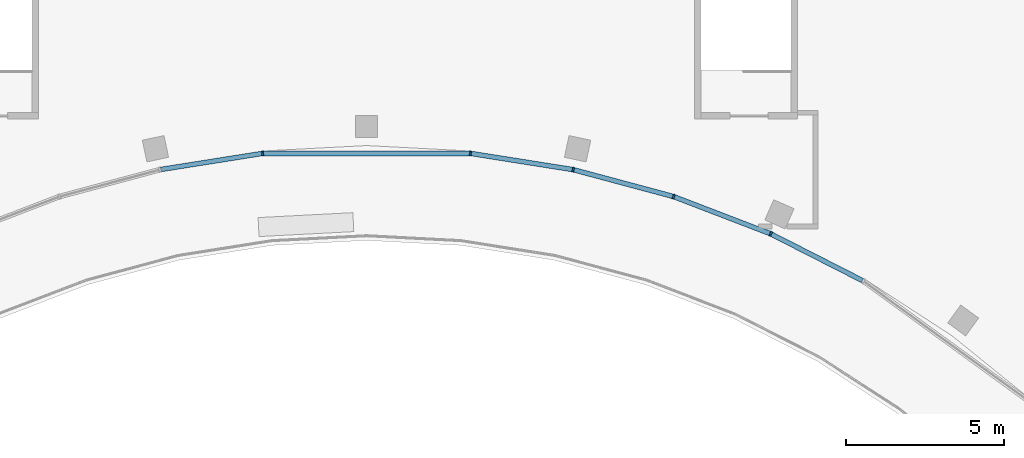
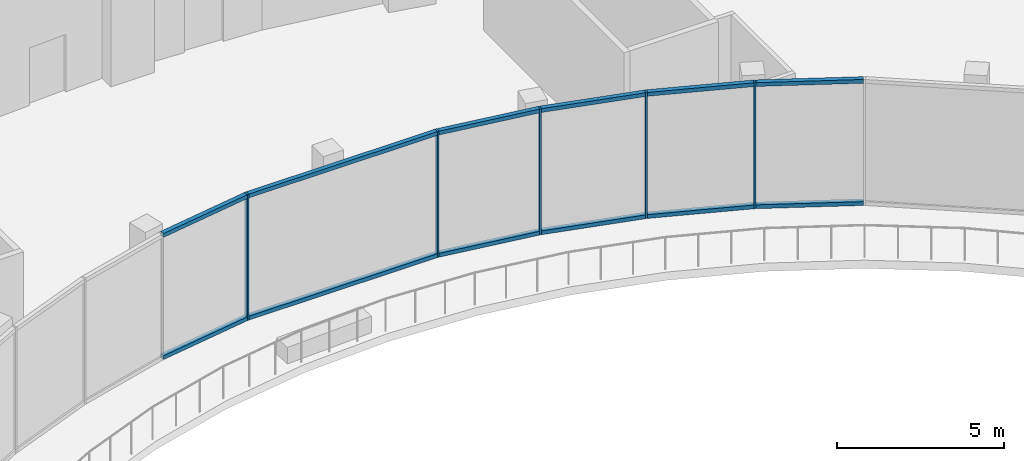
# One storey, part 10 of 33: 17 members, 1 element without a shape of its own.
"""IFC4 building model written with IfcOpenShell, lengths in metres."""

from ifc_helpers import new_model, si_unit, direction, frame, origin, origin_2d, place, context, subcontext, project, spatial, rectangle, extrude, material, layer, layer_set, material_profile, profile_set, type_object, element, aggregate, save


model = new_model("IFC4")

# Units and contexts
model_context = context("Model", 3, precision=1e-05, world=origin(), true_north=direction((0.0, 1.0)))
body_context = subcontext(model_context, "Body", "Model", "MODEL_VIEW")
ifc_project = project(units=[si_unit("LENGTHUNIT", "METRE"), si_unit("AREAUNIT", "SQUARE_METRE"), si_unit("VOLUMEUNIT", "CUBIC_METRE"), si_unit("PLANEANGLEUNIT", "RADIAN"), si_unit("MASSUNIT", "GRAM", prefix="KILO")], contexts=[model_context])

# Site, building, storey
site_placement = place(None, origin())
site = spatial("IfcSite", under=ifc_project, at=site_placement, CompositionType="ELEMENT")
building_placement = place(site_placement, origin())
building = spatial("IfcBuilding", under=site, at=building_placement, Name="Stone Belt Terrace Tower", CompositionType="ELEMENT")
storey_placement = place(building_placement, frame((0.0, 0.0, 25.39990234375)))
storey = spatial("IfcBuildingStorey", under=building, at=storey_placement, Name="L05", CompositionType="ELEMENT", Elevation=25.39990234375)

# Curtain wall, members
ifc_material = material(Name="Aluminium 6063-T6 anodised frame", Category="aluminium")
ifc_layer = layer(ifc_material, 0.14990234375)
ifc_layer_set = layer_set([ifc_layer], Name="CW-D podium shopfront")
curtain_wall_type = type_object("IfcCurtainWallType", Name="CW-D podium shopfront", PredefinedType="NOTDEFINED", material=ifc_layer_set)
curtain_wall_placement = place(storey_placement, origin())
curtain_wall = element("IfcCurtainWall", 1, at=curtain_wall_placement, inside=storey, type_object=curtain_wall_type, Name="CW-D concave face L05", PredefinedType="NOTDEFINED")
ifc_material_profile_1 = material_profile(ifc_material, rectangle(XDim=0.14990234375, YDim=0.06005859375, at=origin_2d()), Name="Aluminium 6063-T6 60x150")
ifc_profile_set_1 = profile_set([ifc_material_profile_1], Name="Aluminium 6063-T6 anodised frame")
member_type_1 = type_object("IfcMemberType", Name="CW-D mullion 60 x 150", PredefinedType="MULLION", material=ifc_profile_set_1)
member_1_placement = place(storey_placement, frame((-3.286865234375, 31.25244140625, 0.0), z_axis=(0.0, 0.0, 1.0), x_axis=(-0.078459095728, 0.996917333733, 0.0)))
member_1 = element("IfcMember", 2, at=member_1_placement, type_object=member_type_1, Name="CW-D mullion 11", PredefinedType="MULLION", context=body_context, shape_type="SweptSolid", body=[
    extrude(rectangle(XDim=0.14990234375, YDim=0.06005859375, at=origin_2d()), origin(), (0.0, 0.0, 1.0), 4.60009765625),
])
member_2_placement = place(storey_placement, frame((3.286865234375, 31.25244140625, 0.0), z_axis=(0.0, 0.0, 1.0), x_axis=(0.078459095728, 0.996917333733, 0.0)))
member_2 = element("IfcMember", 3, at=member_2_placement, type_object=member_type_1, Name="CW-D mullion 12", PredefinedType="MULLION", context=body_context, shape_type="SweptSolid", body=[
    extrude(rectangle(XDim=0.14990234375, YDim=0.06005859375, at=origin_2d()), origin(), (0.0, 0.0, 1.0), 4.60009765625),
])
member_3_placement = place(storey_placement, frame((6.53369140625, 30.73828125, 0.0), z_axis=(0.0, 0.0, 1.0), x_axis=(0.207911690818, 0.978147600734, 0.0)))
member_3 = element("IfcMember", 4, at=member_3_placement, type_object=member_type_1, Name="CW-D mullion 13", PredefinedType="MULLION", context=body_context, shape_type="SweptSolid", body=[
    extrude(rectangle(XDim=0.14990234375, YDim=0.06005859375, at=origin_2d()), origin(), (0.0, 0.0, 1.0), 4.60009765625),
])
member_4_placement = place(storey_placement, frame((9.7109375, 29.886962890625, 0.0), z_axis=(0.0, 0.0, 1.0), x_axis=(0.309016994375, 0.951056516295, 0.0)))
member_4 = element("IfcMember", 5, at=member_4_placement, type_object=member_type_1, Name="CW-D mullion 14", PredefinedType="MULLION", context=body_context, shape_type="SweptSolid", body=[
    extrude(rectangle(XDim=0.14990234375, YDim=0.06005859375, at=origin_2d()), origin(), (0.0, 0.0, 1.0), 4.60009765625),
])
member_5_placement = place(storey_placement, frame((12.78173828125, 28.7080078125, 0.0), z_axis=(0.0, 0.0, 1.0), x_axis=(0.406736643076, 0.913545457643, 0.0)))
member_5 = element("IfcMember", 6, at=member_5_placement, type_object=member_type_1, Name="CW-D mullion 15", PredefinedType="MULLION", context=body_context, shape_type="SweptSolid", body=[
    extrude(rectangle(XDim=0.14990234375, YDim=0.06005859375, at=origin_2d()), origin(), (0.0, 0.0, 1.0), 4.60009765625),
])
ifc_material_profile_2 = material_profile(ifc_material, rectangle(XDim=0.14990234375, YDim=0.139892578125, at=origin_2d()), Name="Aluminium 6063-T6 150x140")
ifc_profile_set_2 = profile_set([ifc_material_profile_2], Name="Aluminium 6063-T6 anodised frame")
member_type_2 = type_object("IfcMemberType", Name="CW-D transom 140 x 150", PredefinedType="USERDEFINED", material=ifc_profile_set_2)
member_6_placement = place(storey_placement, frame((-6.500244140625, 30.743408203125, 0.070068359375), z_axis=(0.987686566234, 0.156445667505, 0.0), x_axis=(-0.156445667505, 0.987686566234, 0.0)))
member_6 = element("IfcMember", 7, at=member_6_placement, type_object=member_type_2, Name="CW-D transom 10.1", ObjectType="TRANSOM", PredefinedType="USERDEFINED", context=body_context, shape_type="SweptSolid", body=[
    extrude(rectangle(XDim=0.14990234375, YDim=0.139892578125, at=origin_2d()), origin(), (0.0, 0.0, 1.0), 3.2177734375),
])
member_7_placement = place(storey_placement, frame((-6.500244140625, 30.743408203125, 4.530029296875), z_axis=(0.987686566234, 0.156445667505, 0.0), x_axis=(-0.156445667505, 0.987686566234, 0.0)))
member_7 = element("IfcMember", 8, at=member_7_placement, type_object=member_type_2, Name="CW-D transom 10.2", ObjectType="TRANSOM", PredefinedType="USERDEFINED", context=body_context, shape_type="SweptSolid", body=[
    extrude(rectangle(XDim=0.14990234375, YDim=0.139892578125, at=origin_2d()), origin(), (0.0, 0.0, 1.0), 3.2177734375),
])
member_8_placement = place(storey_placement, frame((-3.2509765625, 31.25244140625, 0.070068359375), z_axis=(1.0, 0.0, 0.0), x_axis=(0.0, 1.0, 0.0)))
member_8 = element("IfcMember", 9, at=member_8_placement, type_object=member_type_2, Name="CW-D transom 11.1", ObjectType="TRANSOM", PredefinedType="USERDEFINED", context=body_context, shape_type="SweptSolid", body=[
    extrude(rectangle(XDim=0.14990234375, YDim=0.139892578125, at=origin_2d()), origin(), (0.0, 0.0, 1.0), 6.501953125),
])
member_9_placement = place(storey_placement, frame((-3.2509765625, 31.25244140625, 4.530029296875), z_axis=(1.0, 0.0, 0.0), x_axis=(0.0, 1.0, 0.0)))
member_9 = element("IfcMember", 10, at=member_9_placement, type_object=member_type_2, Name="CW-D transom 11.2", ObjectType="TRANSOM", PredefinedType="USERDEFINED", context=body_context, shape_type="SweptSolid", body=[
    extrude(rectangle(XDim=0.14990234375, YDim=0.139892578125, at=origin_2d()), origin(), (0.0, 0.0, 1.0), 6.501953125),
])
member_10_placement = place(storey_placement, frame((3.322021484375, 31.246826171875, 0.070068359375), z_axis=(0.987686566234, -0.156445667505, 0.0), x_axis=(0.156445667505, 0.987686566234, 0.0)))
member_10 = element("IfcMember", 11, at=member_10_placement, type_object=member_type_2, Name="CW-D transom 12.1", ObjectType="TRANSOM", PredefinedType="USERDEFINED", context=body_context, shape_type="SweptSolid", body=[
    extrude(rectangle(XDim=0.14990234375, YDim=0.139892578125, at=origin_2d()), origin(), (0.0, 0.0, 1.0), 3.2177734375),
])
member_11_placement = place(storey_placement, frame((3.322021484375, 31.246826171875, 4.530029296875), z_axis=(0.987686566234, -0.156445667505, 0.0), x_axis=(0.156445667505, 0.987686566234, 0.0)))
member_11 = element("IfcMember", 12, at=member_11_placement, type_object=member_type_2, Name="CW-D transom 12.2", ObjectType="TRANSOM", PredefinedType="USERDEFINED", context=body_context, shape_type="SweptSolid", body=[
    extrude(rectangle(XDim=0.14990234375, YDim=0.139892578125, at=origin_2d()), origin(), (0.0, 0.0, 1.0), 3.2177734375),
])
member_12_placement = place(storey_placement, frame((6.56640625, 30.7294921875, 0.070068359375), z_axis=(0.96590711301, -0.258888873915, 0.0), x_axis=(0.258888873915, 0.96590711301, 0.0)))
member_12 = element("IfcMember", 13, at=member_12_placement, type_object=member_type_2, Name="CW-D transom 13.1", ObjectType="TRANSOM", PredefinedType="USERDEFINED", context=body_context, shape_type="SweptSolid", body=[
    extrude(rectangle(XDim=0.14990234375, YDim=0.139892578125, at=origin_2d()), origin(), (0.0, 0.0, 1.0), 3.221435546875),
])
member_13_placement = place(storey_placement, frame((6.56640625, 30.7294921875, 4.530029296875), z_axis=(0.96590711301, -0.258888873915, 0.0), x_axis=(0.258888873915, 0.96590711301, 0.0)))
member_13 = element("IfcMember", 14, at=member_13_placement, type_object=member_type_2, Name="CW-D transom 13.2", ObjectType="TRANSOM", PredefinedType="USERDEFINED", context=body_context, shape_type="SweptSolid", body=[
    extrude(rectangle(XDim=0.14990234375, YDim=0.139892578125, at=origin_2d()), origin(), (0.0, 0.0, 1.0), 3.221435546875),
])
member_14_placement = place(storey_placement, frame((9.742431640625, 29.874755859375, 0.070068359375), z_axis=(0.933575889174, -0.358379769454, 0.0), x_axis=(0.358379769454, 0.933575889174, 0.0)))
member_14 = element("IfcMember", 15, at=member_14_placement, type_object=member_type_2, Name="CW-D transom 14.1", ObjectType="TRANSOM", PredefinedType="USERDEFINED", context=body_context, shape_type="SweptSolid", body=[
    extrude(rectangle(XDim=0.14990234375, YDim=0.139892578125, at=origin_2d()), origin(), (0.0, 0.0, 1.0), 3.221435546875),
])
member_15_placement = place(storey_placement, frame((9.742431640625, 29.874755859375, 4.530029296875), z_axis=(0.933575889174, -0.358379769454, 0.0), x_axis=(0.358379769454, 0.933575889174, 0.0)))
member_15 = element("IfcMember", 16, at=member_15_placement, type_object=member_type_2, Name="CW-D transom 14.2", ObjectType="TRANSOM", PredefinedType="USERDEFINED", context=body_context, shape_type="SweptSolid", body=[
    extrude(rectangle(XDim=0.14990234375, YDim=0.139892578125, at=origin_2d()), origin(), (0.0, 0.0, 1.0), 3.221435546875),
])
member_16_placement = place(storey_placement, frame((12.811767578125, 28.692626953125, 0.070068359375), z_axis=(0.891017492062, -0.453968973432, 0.0), x_axis=(0.453968973432, 0.891017492062, 0.0)))
member_16 = element("IfcMember", 17, at=member_16_placement, type_object=member_type_2, Name="CW-D transom 15.1", ObjectType="TRANSOM", PredefinedType="USERDEFINED", context=body_context, shape_type="SweptSolid", body=[
    extrude(rectangle(XDim=0.14990234375, YDim=0.139892578125, at=origin_2d()), origin(), (0.0, 0.0, 1.0), 3.217529296875),
])
member_17_placement = place(storey_placement, frame((12.811767578125, 28.692626953125, 4.530029296875), z_axis=(0.891017492062, -0.453968973432, 0.0), x_axis=(0.453968973432, 0.891017492062, 0.0)))
member_17 = element("IfcMember", 18, at=member_17_placement, type_object=member_type_2, Name="CW-D transom 15.2", ObjectType="TRANSOM", PredefinedType="USERDEFINED", context=body_context, shape_type="SweptSolid", body=[
    extrude(rectangle(XDim=0.14990234375, YDim=0.139892578125, at=origin_2d()), origin(), (0.0, 0.0, 1.0), 3.217529296875),
])
aggregate(curtain_wall, [member_1, member_2, member_3, member_4, member_5, member_6, member_7, member_8, member_9, member_10, member_11, member_12, member_13, member_14, member_15, member_16, member_17])

save(model, "model.ifc")
